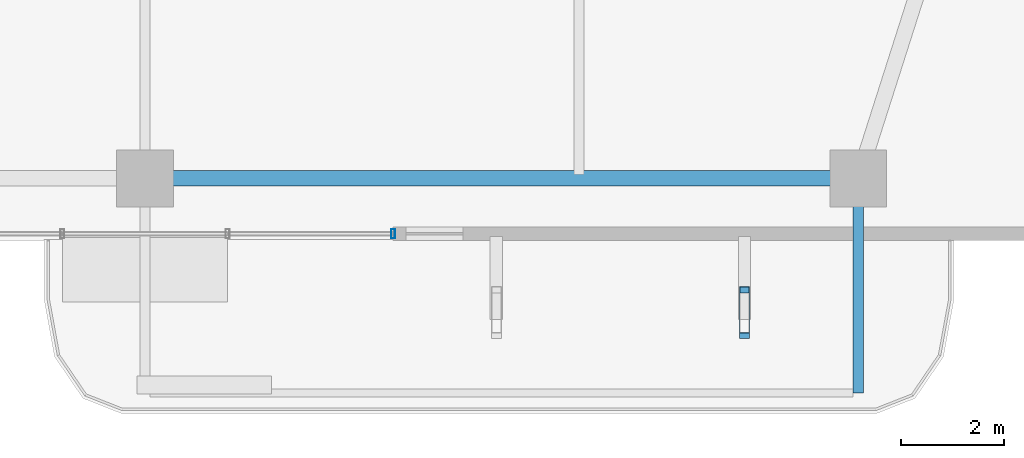
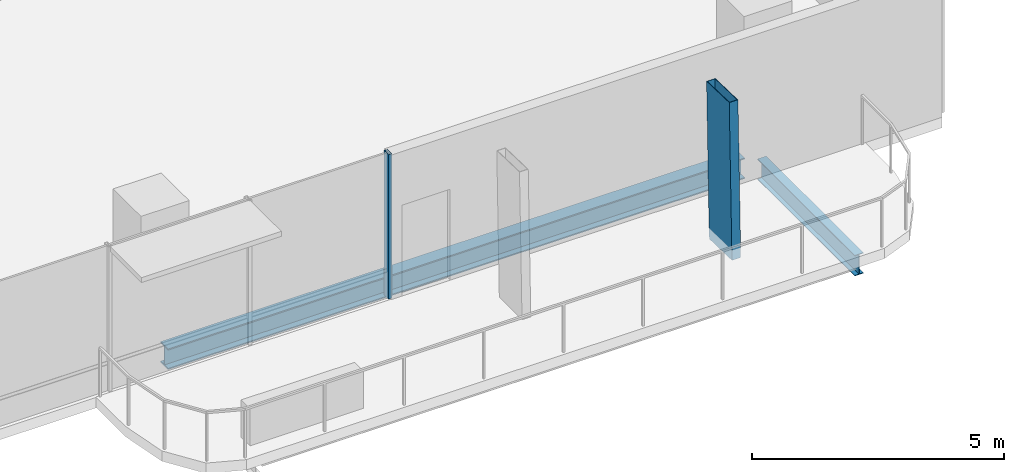
# One storey, part 8 of 25: 2 beams, 2 members, 1 element without a shape of its own.
"""IFC4 building model written with IfcOpenShell, lengths in metres."""

import ifcopenshell
import ifcopenshell.guid

model = None  # the IFC model being written
_history = None  # IfcOwnerHistory: only IFC2X3 demands one
_inside = {}  # id of a spatial element -> (the spatial element, [elements in it])
_under = {}  # id of a project, library or spatial element -> (it, [spatial elements below it])
_declared = {}  # id of a project -> (the project, [libraries it declares])
_typed = {}  # id of a type object -> (the type object, [elements of that type])
_made_of = {}  # id of a material, layer set ... -> (it, [elements and type objects made of it])


def new_model(schema):
    """Start an empty IFC model of exactly this schema.

    Asked for "IFC4X3", IfcOpenShell would pick the latest addendum, in which some entities
    have other attributes; the version numbers below select the first issue.
    IFC2X3 requires an IfcOwnerHistory on every rooted entity: one is made here for all.
    """
    global model, _history
    if schema == "IFC4X3":
        model = ifcopenshell.file(schema_version=(4, 3, 0, 0))
    else:
        model = ifcopenshell.file(schema=schema)
    _inside.clear()
    _under.clear()
    _declared.clear()
    _typed.clear()
    _made_of.clear()
    _history = None
    if model.schema == "IFC2X3":
        org = make("IfcOrganization", Name="unknown")
        user = make(
            "IfcPersonAndOrganization",
            ThePerson=make("IfcPerson", FamilyName="unknown"),
            TheOrganization=org,
        )
        app = make(
            "IfcApplication",
            ApplicationDeveloper=org,
            Version="unknown",
            ApplicationFullName="unknown",
            ApplicationIdentifier="unknown",
        )
        _history = make(
            "IfcOwnerHistory",
            OwningUser=user,
            OwningApplication=app,
            ChangeAction="ADDED",
            CreationDate=0,
        )
    return model


def make(cls, **values):
    """One entity of the class cls with the attributes given. An attribute that is None is left unset."""
    return model.create_entity(
        cls, **{name: value for name, value in values.items() if value is not None}
    )


def rooted(cls, **values):
    """An entity with a GlobalId (a new one), such as an element, a storey or a relation."""
    return make(cls, GlobalId=ifcopenshell.guid.new(), OwnerHistory=_history, **values)


def si_unit(unit_type, name, prefix=None):
    """IfcSIUnit, for example si_unit("LENGTHUNIT", "METRE", prefix="MILLI")."""
    return make("IfcSIUnit", UnitType=unit_type, Prefix=prefix, Name=name)


def assignment(units):
    """IfcUnitAssignment: the units of a project."""
    return None if units is None else make("IfcUnitAssignment", Units=units)


def point(xyz):
    """IfcCartesianPoint."""
    return None if xyz is None else make("IfcCartesianPoint", Coordinates=xyz)


def direction(xyz):
    """IfcDirection."""
    return None if xyz is None else make("IfcDirection", DirectionRatios=xyz)


def frame(location, z_axis=None, x_axis=None):
    """IfcAxis2Placement3D, a coordinate frame: its origin and axes. An axis left out is left unset."""
    return make(
        "IfcAxis2Placement3D",
        Location=point(location),
        Axis=direction(z_axis),
        RefDirection=direction(x_axis),
    )


def frame_2d(location, x_axis=None):
    """IfcAxis2Placement2D, a coordinate frame in the plane: its origin and x axis."""
    return make(
        "IfcAxis2Placement2D", Location=point(location), RefDirection=direction(x_axis)
    )


def origin():
    """The frame at (0, 0, 0) with its axes left unset."""
    return frame((0.0, 0.0, 0.0))


def origin_2d():
    """The frame at (0, 0) in the plane with its x axis left unset."""
    return frame_2d((0.0, 0.0))


def place(relative_to, where):
    """IfcLocalPlacement: puts the frame where relative to a parent placement (None: the world)."""
    return make(
        "IfcLocalPlacement", PlacementRelTo=relative_to, RelativePlacement=where
    )


def context(
    kind, dimensions, precision=None, world=None, true_north=None, identifier=None
):
    """IfcGeometricRepresentationContext, for example the 3D "Model" context."""
    return make(
        "IfcGeometricRepresentationContext",
        ContextIdentifier=identifier,
        ContextType=kind,
        CoordinateSpaceDimension=dimensions,
        Precision=precision,
        WorldCoordinateSystem=world,
        TrueNorth=true_north,
    )


def subcontext(parent, identifier, kind, view, scale=None):
    """IfcGeometricRepresentationSubContext, for example "Body" below "Model"."""
    return make(
        "IfcGeometricRepresentationSubContext",
        ContextIdentifier=identifier,
        ContextType=kind,
        ParentContext=parent,
        TargetScale=scale,
        TargetView=view,
    )


def project(units=None, contexts=None):
    """IfcProject with its units and contexts."""
    return rooted(
        "IfcProject",
        Name="project",
        RepresentationContexts=contexts,
        UnitsInContext=assignment(units),
    )


def spatial(cls, under=None, at=None, **own):
    """A site, building, storey or space (cls), placed at a placement, below another one or the project."""
    s = rooted(cls, ObjectPlacement=at, **own)
    if under is not None:
        _under.setdefault(under.id(), (under, []))[1].append(s)
    return s


def profile(cls, at=None, kind="AREA", **sizes):
    """A parametric profile (cls). Its sizes go by their IFC names, for example OverallWidth=200.0."""
    return make(cls, ProfileType=kind, Position=at, **sizes)


def hollow_rectangle(**sizes):
    """IfcRectangleHollowProfileDef."""
    return profile("IfcRectangleHollowProfileDef", **sizes)


def i_section(**sizes):
    """IfcIShapeProfileDef."""
    return profile("IfcIShapeProfileDef", **sizes)


def extrude(swept, where, along, depth):
    """IfcExtrudedAreaSolid: the profile swept, set in the frame where, extruded along a direction by depth."""
    return make(
        "IfcExtrudedAreaSolid",
        SweptArea=swept,
        Position=where,
        ExtrudedDirection=direction(along),
        Depth=depth,
    )


def shape(context_of_items, identifier, shape_type, items):
    """IfcShapeRepresentation: the items that make up one representation, for example the "Body"."""
    return make(
        "IfcShapeRepresentation",
        ContextOfItems=context_of_items,
        RepresentationIdentifier=identifier,
        RepresentationType=shape_type,
        Items=items,
    )


def material(Name=None, Category=None):
    """IfcMaterial."""
    return make("IfcMaterial", Name=Name, Category=Category)


def layer(
    of_material, thickness, ventilated=None, Name=None, Category=None, Priority=None
):
    """IfcMaterialLayer: one layer of a wall or slab, of a material (None: an air gap)."""
    return make(
        "IfcMaterialLayer",
        Material=of_material,
        LayerThickness=thickness,
        IsVentilated=ventilated,
        Name=Name,
        Category=Category,
        Priority=Priority,
    )


def layer_set(layers, Name=None):
    """IfcMaterialLayerSet."""
    return make("IfcMaterialLayerSet", MaterialLayers=layers, LayerSetName=Name)


def material_profile(
    of_material, cross_section, Name=None, Category=None, Priority=None
):
    """IfcMaterialProfile: a cross section and its material."""
    return make(
        "IfcMaterialProfile",
        Name=Name,
        Material=of_material,
        Profile=cross_section,
        Priority=Priority,
        Category=Category,
    )


def profile_set(profiles, Name=None, composite=None):
    """IfcMaterialProfileSet."""
    return make(
        "IfcMaterialProfileSet",
        Name=Name,
        MaterialProfiles=profiles,
        CompositeProfile=composite,
    )


def made_of(thing, what):
    """Note that an element or type object is made of a material, layer set ...; save() writes the relation."""
    if what is not None:
        _made_of.setdefault(what.id(), (what, []))[1].append(thing)
    return thing


def type_object(cls, material=None, **own):
    """A type object (cls), such as IfcWallType, which elements share."""
    return made_of(rooted(cls, **own), material)


def element(
    cls,
    number,
    at=None,
    inside=None,
    cuts=None,
    type_object=None,
    material=None,
    context=None,
    identifier="Body",
    shape_type=None,
    held_by="IfcProductDefinitionShape",
    body=None,
    shapes=None,
    **own,
):
    """One element of the class cls, such as IfcWall. Its Tag is "e" and its number.

    at: its placement. inside: the storey or other place that contains it. cuts: it is an
    opening in that element (IfcRelVoidsElement). A single representation is given by context,
    identifier, shape_type and body (its items); several are given by shapes. held_by: the class
    of the entity that holds the representations. save() writes the other relations.
    """
    e = rooted(cls, Tag="e%d" % number, ObjectPlacement=at, **own)
    if body is not None:
        shapes = [shape(context, identifier, shape_type, body)]
    if shapes is not None:
        e.Representation = make(held_by, Representations=shapes)
    if inside is not None:
        _inside.setdefault(inside.id(), (inside, []))[1].append(e)
    if cuts is not None:
        rooted(
            "IfcRelVoidsElement", RelatingBuildingElement=cuts, RelatedOpeningElement=e
        )
    if type_object is not None:
        _typed.setdefault(type_object.id(), (type_object, []))[1].append(e)
    return made_of(e, material)


def aggregate(whole, parts):
    """IfcRelAggregates: a whole, such as a stair, and the parts it consists of."""
    return rooted("IfcRelAggregates", RelatingObject=whole, RelatedObjects=parts)


def save(model, path):
    """Write the relations noted so far, then the file.

    IfcRelAggregates (storeys below a building ...), IfcRelContainedInSpatialStructure (elements
    in a storey), IfcRelDefinesByType, IfcRelAssociatesMaterial and IfcRelDeclares: one each for
    every whole, place, type object, material and project.
    """
    for whole, parts in _under.values():
        aggregate(whole, parts)
    for where, things in _inside.values():
        rooted(
            "IfcRelContainedInSpatialStructure",
            RelatedElements=things,
            RelatingStructure=where,
        )
    for kind, things in _typed.values():
        rooted("IfcRelDefinesByType", RelatedObjects=things, RelatingType=kind)
    for what, things in _made_of.values():
        rooted("IfcRelAssociatesMaterial", RelatedObjects=things, RelatingMaterial=what)
    for by, libraries in _declared.values():
        rooted("IfcRelDeclares", RelatingContext=by, RelatedDefinitions=libraries)
    model.write(path)


model = new_model("IFC4")

# Units and contexts
model_context = context("Model", 3, precision=1e-05, world=origin(), true_north=direction((0.0, 1.0)))
body_context = subcontext(model_context, "Body", "Model", "MODEL_VIEW")
ifc_project = project(units=[si_unit("LENGTHUNIT", "METRE"), si_unit("AREAUNIT", "SQUARE_METRE"), si_unit("VOLUMEUNIT", "CUBIC_METRE"), si_unit("PLANEANGLEUNIT", "RADIAN"), si_unit("MASSUNIT", "GRAM", prefix="KILO")], contexts=[model_context])

# Site, building, storey
site_placement = place(None, origin())
site = spatial("IfcSite", under=ifc_project, at=site_placement, CompositionType="ELEMENT")
building_placement = place(site_placement, origin())
building = spatial("IfcBuilding", under=site, at=building_placement, Name="Belovzor Exchange Tower", CompositionType="ELEMENT")
storey_placement = place(building_placement, frame((0.0, 0.0, 153.300048828125)))
storey = spatial("IfcBuildingStorey", under=building, at=storey_placement, Name="L37", CompositionType="ELEMENT", Elevation=153.300048828125)

# Beam
ifc_material_1 = material(Name="Steel S355", Category="steel")
ifc_material_profile_1 = material_profile(ifc_material_1, i_section(OverallWidth=0.199951171875, OverallDepth=0.5, WebThickness=0.01025390625, FlangeThickness=0.01611328125, at=origin_2d()))
ifc_profile_set_1 = profile_set([ifc_material_profile_1], Name="Steel S355")
beam_type_1 = type_object("IfcBeamType", Name="Planted Balcony Cantilever Beam IPE 500", PredefinedType="BEAM", material=ifc_profile_set_1)
beam_1_placement = place(storey_placement, frame((42.60009765625, 5.39697265625, -0.505126953125), z_axis=(0.0, -1.0, 0.0), x_axis=(1.0, 0.0, 0.0)))
element("IfcBeam", 1, at=beam_1_placement, inside=storey, type_object=beam_type_1, Name="BC-500 Planted Balcony Cantilever Beam IPE 500", PredefinedType="BEAM", context=body_context, shape_type="SweptSolid", body=[
    extrude(i_section(OverallWidth=0.199951171875, OverallDepth=0.5, WebThickness=0.01025390625, FlangeThickness=0.01611328125, at=origin_2d()), origin(), (0.0, 0.0, 1.0), 3.849853515625),
])

# Member
ifc_material_2 = material(Name="Extruded Architectural Terracotta on Steel S355 Carrier", Category="masonry")
ifc_material_profile_2 = material_profile(ifc_material_2, hollow_rectangle(XDim=0.199951171875, YDim=0.89990234375, WallThickness=0.011962890625, at=origin_2d()))
ifc_profile_set_2 = profile_set([ifc_material_profile_2], Name="Extruded Architectural Terracotta on Steel S355 Carrier")
member_type_1 = type_object("IfcMemberType", Name="Sweeping Terracotta Baguette Fin Assembly 1250", PredefinedType="USERDEFINED", material=ifc_profile_set_2)
member_1_placement = place(storey_placement, frame((40.39990234375, 3.049072265625, -0.255126953125), z_axis=(0.0, 0.028764134908, 0.999586226667), x_axis=(-1.0, 0.0, 0.0)))
element("IfcMember", 2, at=member_1_placement, inside=storey, type_object=member_type_1, Name="FIN-TC125 Terracotta Facade Fin L37 S4", ObjectType="FIN", PredefinedType="USERDEFINED", context=body_context, shape_type="SweptSolid", body=[
    extrude(hollow_rectangle(XDim=0.199951171875, YDim=0.89990234375, WallThickness=0.011962890625, at=origin_2d()), origin(), (0.0, 0.0, 1.0), 3.75146484375),
])

# Curtain wall, member
ifc_material_3 = material(Name="Anodised Aluminium Framing", Category="aluminium")
ifc_layer = layer(ifc_material_3, 0.179931640625)
ifc_layer_set = layer_set([ifc_layer], Name="Anodised Aluminium Framing")
curtain_wall_type = type_object("IfcCurtainWallType", Name="Recessed Loggia Low-Iron Triple-Glazed Curtain Wall", PredefinedType="NOTDEFINED", material=ifc_layer_set)
curtain_wall_placement = place(storey_placement, origin())
curtain_wall = element("IfcCurtainWall", 3, at=curtain_wall_placement, inside=storey, type_object=curtain_wall_type, Name="CW3 Recessed Loggia Low-Iron Triple-Glazed Curtain Wall L37", PredefinedType="NOTDEFINED")
ifc_material_4 = material(Name="Steel S355", Category="steel")
ifc_material_profile_3 = material_profile(ifc_material_4, hollow_rectangle(XDim=0.074951171875, YDim=0.179931640625, WallThickness=0.0048828125, at=origin_2d()))
ifc_profile_set_3 = profile_set([ifc_material_profile_3], Name="Steel S355")
member_type_2 = type_object("IfcMemberType", Name="Thermally Broken Curtain Wall Mullion 180x75", PredefinedType="MULLION", material=ifc_profile_set_3)
member_2_placement = place(storey_placement, frame((33.60009765625, 4.6298828125, 0.0), z_axis=(0.0, 0.0, 1.0), x_axis=(-1.0, 0.0, 0.0)))
member_2 = element("IfcMember", 4, at=member_2_placement, type_object=member_type_2, Name="CW-M180 Curtain Wall Mullion 1", PredefinedType="MULLION", context=body_context, shape_type="SweptSolid", body=[
    extrude(hollow_rectangle(XDim=0.074951171875, YDim=0.179931640625, WallThickness=0.0048828125, at=origin_2d()), origin(), (0.0, 0.0, 1.0), 3.494873046875),
])
aggregate(curtain_wall, [member_2])

# Beam
ifc_material_5 = material(Name="Steel S355", Category="steel")
ifc_material_profile_4 = material_profile(ifc_material_5, i_section(OverallWidth=0.300048828125, OverallDepth=0.5, WebThickness=0.014404296875, FlangeThickness=0.028076171875, at=origin_2d()))
ifc_profile_set_4 = profile_set([ifc_material_profile_4], Name="Steel S355")
beam_type_2 = type_object("IfcBeamType", Name="Zone 3 Waist Primary Girder HEB 500", PredefinedType="BEAM", material=ifc_profile_set_4)
beam_2_placement = place(storey_placement, frame((29.10205078125, 5.699951171875, -0.505126953125), z_axis=(1.0, 0.0, 0.0), x_axis=(0.0, 1.0, 0.0)))
element("IfcBeam", 5, at=beam_2_placement, inside=storey, type_object=beam_type_2, Name="FG-Z3 Zone 3 Waist Primary Girder HEB 500", PredefinedType="BEAM", context=body_context, shape_type="SweptSolid", body=[
    extrude(i_section(OverallWidth=0.300048828125, OverallDepth=0.5, WebThickness=0.014404296875, FlangeThickness=0.028076171875, at=origin_2d()), origin(), (0.0, 0.0, 1.0), 13.195068359375),
])

save(model, "model.ifc")
